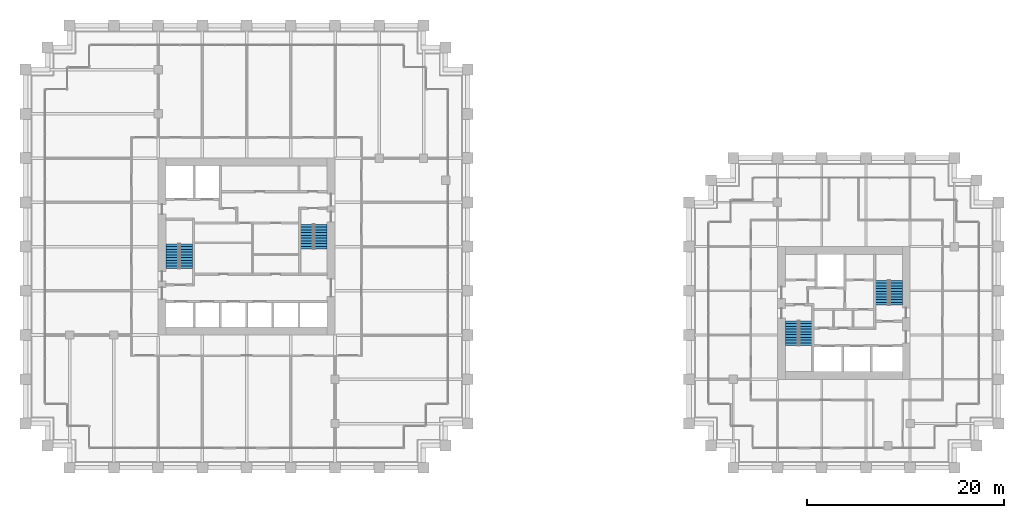
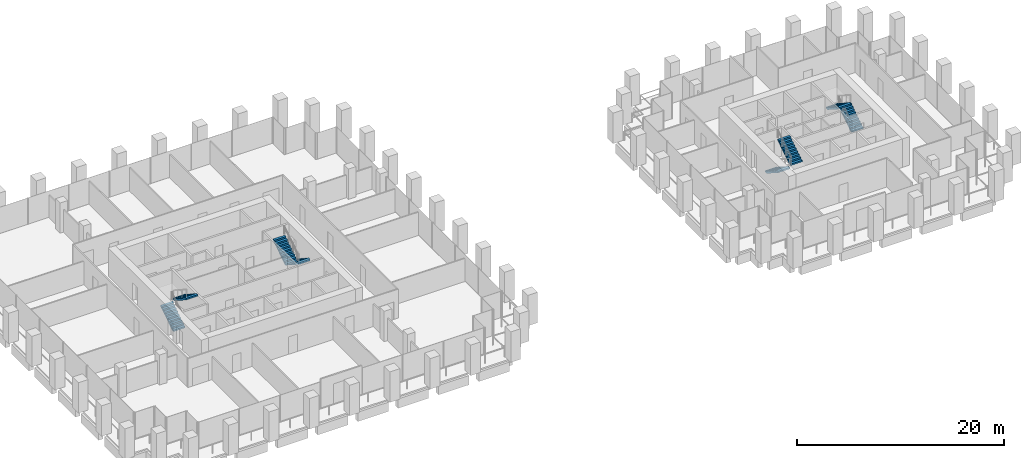
# One storey, part 54 of 56: 8 stair flights, 4 elements without a shape of their own.
"""IFC4 building model written with IfcOpenShell, lengths in metres."""

from ifc_helpers import new_model, si_unit, direction, frame, origin, place, context, subcontext, project, spatial, polyline, outline, extrude, material, type_object, element, aggregate, save


model = new_model("IFC4")

# Units and contexts
model_context = context("Model", 3, precision=1e-05, world=origin(), true_north=direction((0.0, 1.0)))
body_context = subcontext(model_context, "Body", "Model", "MODEL_VIEW")
ifc_project = project(units=[si_unit("LENGTHUNIT", "METRE"), si_unit("AREAUNIT", "SQUARE_METRE"), si_unit("VOLUMEUNIT", "CUBIC_METRE"), si_unit("PLANEANGLEUNIT", "RADIAN"), si_unit("MASSUNIT", "GRAM", prefix="KILO")], contexts=[model_context])

# Site, building, storey
site_placement = place(None, origin())
site = spatial("IfcSite", under=ifc_project, at=site_placement, CompositionType="ELEMENT")
building_placement = place(site_placement, origin())
building = spatial("IfcBuilding", under=site, at=building_placement, Name="Altepetl Exchange Towers", CompositionType="ELEMENT")
storey_placement = place(building_placement, frame((0.0, 0.0, 54.60009765625)))
storey = spatial("IfcBuildingStorey", under=building, at=storey_placement, Name="L12", CompositionType="ELEMENT", Elevation=54.60009765625)

# Stair, stair flights
ifc_material = material(Name="Concrete C40/50", Category="concrete")
stair_type = type_object("IfcStairType", Name="Exit stair 1300 flights dogleg", PredefinedType="HALF_TURN_STAIR", material=ifc_material)
stair_1_placement = place(storey_placement, origin())
stair_1 = element("IfcStair", 1, at=stair_1_placement, inside=storey, type_object=stair_type, Name="Exit stair 1", PredefinedType="HALF_TURN_STAIR")
stair_flight_type = type_object("IfcStairFlightType", Name="Stair flight 1300 wide", PredefinedType="STRAIGHT", material=ifc_material)
stair_flight_1_placement = place(storey_placement, frame((41.949951171875, 47.25, 0.0), z_axis=(0.0, 0.0, 1.0), x_axis=(0.0, 1.0, 0.0)))
stair_flight_1 = element("IfcStairFlight", 2, at=stair_flight_1_placement, type_object=stair_flight_type, Name="ST-A1c flight 1", NumberOfRisers=10, NumberOfTreads=9, PredefinedType="STRAIGHT", RiserHeight=0.18, TreadLength=0.28, context=body_context, shape_type="SweptSolid", body=[
    extrude(outline(polyline([(0.0, 0.0), (0.0, 0.179931640625), (0.280029296875, 0.179931640625), (0.280029296875, 0.360107421875), (0.56005859375, 0.360107421875), (0.56005859375, 0.5400390625), (0.840087890625, 0.5400390625), (0.840087890625, 0.719970703125), (1.1201171875, 0.719970703125), (1.1201171875, 0.89990234375), (1.39990234375, 0.89990234375), (1.39990234375, 1.080078125), (1.679931640625, 1.080078125), (1.679931640625, 1.260009765625), (1.9599609375, 1.260009765625), (1.9599609375, 1.43994140625), (2.239990234375, 1.43994140625), (2.239990234375, 1.6201171875), (2.52001953125, 1.6201171875), (2.52001953125, 1.800048828125), (2.52001953125, 1.44189453125), (0.277099609375, 0.0), (0.0, 0.0)])), frame((0.0, 0.64990234375, 0.0), z_axis=(0.0, -1.0, 0.0), x_axis=(1.0, 0.0, 0.0)), (0.0, 0.0, 1.0), 1.300048828125),
])
stair_flight_2_placement = place(storey_placement, frame((43.35009765625, 49.77001953125, 1.7998046875), z_axis=(0.0, 0.0, 1.0), x_axis=(0.0, -1.0, 0.0)))
stair_flight_2 = element("IfcStairFlight", 3, at=stair_flight_2_placement, type_object=stair_flight_type, Name="ST-A1c flight 2", NumberOfRisers=10, NumberOfTreads=9, PredefinedType="STRAIGHT", RiserHeight=0.18, TreadLength=0.28, context=body_context, shape_type="SweptSolid", body=[
    extrude(outline(polyline([(0.0, 0.0), (0.0, 0.179931640625), (0.280029296875, 0.179931640625), (0.280029296875, 0.360107421875), (0.56005859375, 0.360107421875), (0.56005859375, 0.5400390625), (0.840087890625, 0.5400390625), (0.840087890625, 0.719970703125), (1.1201171875, 0.719970703125), (1.1201171875, 0.89990234375), (1.39990234375, 0.89990234375), (1.39990234375, 1.080078125), (1.679931640625, 1.080078125), (1.679931640625, 1.260009765625), (1.9599609375, 1.260009765625), (1.9599609375, 1.43994140625), (2.239990234375, 1.43994140625), (2.239990234375, 1.6201171875), (2.52001953125, 1.6201171875), (2.52001953125, 1.800048828125), (2.52001953125, 1.44189453125), (0.277099609375, 0.0), (0.0, 0.0)])), frame((0.0, 0.64990234375, 0.0), z_axis=(0.0, -1.0, 0.0), x_axis=(1.0, 0.0, 0.0)), (0.0, 0.0, 1.0), 1.300048828125),
])
aggregate(stair_1, [stair_flight_1, stair_flight_2])

stair_2_placement = place(storey_placement, origin())
stair_2 = element("IfcStair", 4, at=stair_2_placement, inside=storey, type_object=stair_type, Name="Exit stair 2", PredefinedType="HALF_TURN_STAIR")
stair_flight_3_placement = place(storey_placement, frame((57.050048828125, 51.75, 0.0), z_axis=(0.0, 0.0, 1.0), x_axis=(0.0, -1.0, 0.0)))
stair_flight_3 = element("IfcStairFlight", 5, at=stair_flight_3_placement, type_object=stair_flight_type, Name="ST-A2c flight 1", NumberOfRisers=10, NumberOfTreads=9, PredefinedType="STRAIGHT", RiserHeight=0.18, TreadLength=0.28, context=body_context, shape_type="SweptSolid", body=[
    extrude(outline(polyline([(0.0, 0.0), (0.0, 0.179931640625), (0.280029296875, 0.179931640625), (0.280029296875, 0.360107421875), (0.56005859375, 0.360107421875), (0.56005859375, 0.5400390625), (0.840087890625, 0.5400390625), (0.840087890625, 0.719970703125), (1.1201171875, 0.719970703125), (1.1201171875, 0.89990234375), (1.39990234375, 0.89990234375), (1.39990234375, 1.080078125), (1.679931640625, 1.080078125), (1.679931640625, 1.260009765625), (1.9599609375, 1.260009765625), (1.9599609375, 1.43994140625), (2.239990234375, 1.43994140625), (2.239990234375, 1.6201171875), (2.52001953125, 1.6201171875), (2.52001953125, 1.800048828125), (2.52001953125, 1.44189453125), (0.277099609375, 0.0), (0.0, 0.0)])), frame((0.0, 0.64990234375, 0.0), z_axis=(0.0, -1.0, 0.0), x_axis=(1.0, 0.0, 0.0)), (0.0, 0.0, 1.0), 1.300048828125),
])
stair_flight_4_placement = place(storey_placement, frame((55.64990234375, 49.22998046875, 1.7998046875), z_axis=(0.0, 0.0, 1.0), x_axis=(0.0, 1.0, 0.0)))
stair_flight_4 = element("IfcStairFlight", 6, at=stair_flight_4_placement, type_object=stair_flight_type, Name="ST-A2c flight 2", NumberOfRisers=10, NumberOfTreads=9, PredefinedType="STRAIGHT", RiserHeight=0.18, TreadLength=0.28, context=body_context, shape_type="SweptSolid", body=[
    extrude(outline(polyline([(0.0, 0.0), (0.0, 0.179931640625), (0.280029296875, 0.179931640625), (0.280029296875, 0.360107421875), (0.56005859375, 0.360107421875), (0.56005859375, 0.5400390625), (0.840087890625, 0.5400390625), (0.840087890625, 0.719970703125), (1.1201171875, 0.719970703125), (1.1201171875, 0.89990234375), (1.39990234375, 0.89990234375), (1.39990234375, 1.080078125), (1.679931640625, 1.080078125), (1.679931640625, 1.260009765625), (1.9599609375, 1.260009765625), (1.9599609375, 1.43994140625), (2.239990234375, 1.43994140625), (2.239990234375, 1.6201171875), (2.52001953125, 1.6201171875), (2.52001953125, 1.800048828125), (2.52001953125, 1.44189453125), (0.277099609375, 0.0), (0.0, 0.0)])), frame((0.0, 0.64990234375, 0.0), z_axis=(0.0, -1.0, 0.0), x_axis=(1.0, 0.0, 0.0)), (0.0, 0.0, 1.0), 1.300048828125),
])
aggregate(stair_2, [stair_flight_3, stair_flight_4])

stair_3_placement = place(storey_placement, origin())
stair_3 = element("IfcStair", 7, at=stair_3_placement, inside=storey, type_object=stair_type, Name="Exit stair 1", PredefinedType="HALF_TURN_STAIR")
stair_flight_5_placement = place(storey_placement, frame((104.949951171875, 41.949951171875, 0.0), z_axis=(0.0, 0.0, 1.0), x_axis=(0.0, -1.0, 0.0)))
stair_flight_5 = element("IfcStairFlight", 8, at=stair_flight_5_placement, type_object=stair_flight_type, Name="ST-B1c flight 1", NumberOfRisers=10, NumberOfTreads=9, PredefinedType="STRAIGHT", RiserHeight=0.18, TreadLength=0.28, context=body_context, shape_type="SweptSolid", body=[
    extrude(outline(polyline([(0.0, 0.0), (0.0, 0.179931640625), (0.280029296875, 0.179931640625), (0.280029296875, 0.360107421875), (0.56005859375, 0.360107421875), (0.56005859375, 0.5400390625), (0.840087890625, 0.5400390625), (0.840087890625, 0.719970703125), (1.1201171875, 0.719970703125), (1.1201171875, 0.89990234375), (1.39990234375, 0.89990234375), (1.39990234375, 1.080078125), (1.679931640625, 1.080078125), (1.679931640625, 1.260009765625), (1.9599609375, 1.260009765625), (1.9599609375, 1.43994140625), (2.239990234375, 1.43994140625), (2.239990234375, 1.6201171875), (2.52001953125, 1.6201171875), (2.52001953125, 1.800048828125), (2.52001953125, 1.44189453125), (0.277099609375, 0.0), (0.0, 0.0)])), frame((0.0, 0.64990234375, 0.0), z_axis=(0.0, -1.0, 0.0), x_axis=(1.0, 0.0, 0.0)), (0.0, 0.0, 1.0), 1.300048828125),
])
stair_flight_6_placement = place(storey_placement, frame((106.35009765625, 39.429931640625, 1.7998046875), z_axis=(0.0, 0.0, 1.0), x_axis=(0.0, 1.0, 0.0)))
stair_flight_6 = element("IfcStairFlight", 9, at=stair_flight_6_placement, type_object=stair_flight_type, Name="ST-B1c flight 2", NumberOfRisers=10, NumberOfTreads=9, PredefinedType="STRAIGHT", RiserHeight=0.18, TreadLength=0.28, context=body_context, shape_type="SweptSolid", body=[
    extrude(outline(polyline([(0.0, 0.0), (0.0, 0.179931640625), (0.280029296875, 0.179931640625), (0.280029296875, 0.360107421875), (0.56005859375, 0.360107421875), (0.56005859375, 0.5400390625), (0.840087890625, 0.5400390625), (0.840087890625, 0.719970703125), (1.1201171875, 0.719970703125), (1.1201171875, 0.89990234375), (1.39990234375, 0.89990234375), (1.39990234375, 1.080078125), (1.679931640625, 1.080078125), (1.679931640625, 1.260009765625), (1.9599609375, 1.260009765625), (1.9599609375, 1.43994140625), (2.239990234375, 1.43994140625), (2.239990234375, 1.6201171875), (2.52001953125, 1.6201171875), (2.52001953125, 1.800048828125), (2.52001953125, 1.44189453125), (0.277099609375, 0.0), (0.0, 0.0)])), frame((0.0, 0.64990234375, 0.0), z_axis=(0.0, -1.0, 0.0), x_axis=(1.0, 0.0, 0.0)), (0.0, 0.0, 1.0), 1.300048828125),
])
aggregate(stair_3, [stair_flight_5, stair_flight_6])

stair_4_placement = place(storey_placement, origin())
stair_4 = element("IfcStair", 10, at=stair_4_placement, inside=storey, type_object=stair_type, Name="Exit stair 2", PredefinedType="HALF_TURN_STAIR")
stair_flight_7_placement = place(storey_placement, frame((115.550048828125, 43.550048828125, 0.0), z_axis=(0.0, 0.0, 1.0), x_axis=(0.0, 1.0, 0.0)))
stair_flight_7 = element("IfcStairFlight", 11, at=stair_flight_7_placement, type_object=stair_flight_type, Name="ST-B2c flight 1", NumberOfRisers=10, NumberOfTreads=9, PredefinedType="STRAIGHT", RiserHeight=0.18, TreadLength=0.28, context=body_context, shape_type="SweptSolid", body=[
    extrude(outline(polyline([(0.0, 0.0), (0.0, 0.179931640625), (0.280029296875, 0.179931640625), (0.280029296875, 0.360107421875), (0.56005859375, 0.360107421875), (0.56005859375, 0.5400390625), (0.840087890625, 0.5400390625), (0.840087890625, 0.719970703125), (1.1201171875, 0.719970703125), (1.1201171875, 0.89990234375), (1.39990234375, 0.89990234375), (1.39990234375, 1.080078125), (1.679931640625, 1.080078125), (1.679931640625, 1.260009765625), (1.9599609375, 1.260009765625), (1.9599609375, 1.43994140625), (2.239990234375, 1.43994140625), (2.239990234375, 1.6201171875), (2.52001953125, 1.6201171875), (2.52001953125, 1.800048828125), (2.52001953125, 1.44189453125), (0.277099609375, 0.0), (0.0, 0.0)])), frame((0.0, 0.64990234375, 0.0), z_axis=(0.0, -1.0, 0.0), x_axis=(1.0, 0.0, 0.0)), (0.0, 0.0, 1.0), 1.300048828125),
])
stair_flight_8_placement = place(storey_placement, frame((114.14990234375, 46.070068359375, 1.7998046875), z_axis=(0.0, 0.0, 1.0), x_axis=(0.0, -1.0, 0.0)))
stair_flight_8 = element("IfcStairFlight", 12, at=stair_flight_8_placement, type_object=stair_flight_type, Name="ST-B2c flight 2", NumberOfRisers=10, NumberOfTreads=9, PredefinedType="STRAIGHT", RiserHeight=0.18, TreadLength=0.28, context=body_context, shape_type="SweptSolid", body=[
    extrude(outline(polyline([(0.0, 0.0), (0.0, 0.179931640625), (0.280029296875, 0.179931640625), (0.280029296875, 0.360107421875), (0.56005859375, 0.360107421875), (0.56005859375, 0.5400390625), (0.840087890625, 0.5400390625), (0.840087890625, 0.719970703125), (1.1201171875, 0.719970703125), (1.1201171875, 0.89990234375), (1.39990234375, 0.89990234375), (1.39990234375, 1.080078125), (1.679931640625, 1.080078125), (1.679931640625, 1.260009765625), (1.9599609375, 1.260009765625), (1.9599609375, 1.43994140625), (2.239990234375, 1.43994140625), (2.239990234375, 1.6201171875), (2.52001953125, 1.6201171875), (2.52001953125, 1.800048828125), (2.52001953125, 1.44189453125), (0.277099609375, 0.0), (0.0, 0.0)])), frame((0.0, 0.64990234375, 0.0), z_axis=(0.0, -1.0, 0.0), x_axis=(1.0, 0.0, 0.0)), (0.0, 0.0, 1.0), 1.300048828125),
])
aggregate(stair_4, [stair_flight_7, stair_flight_8])

save(model, "model.ifc")
